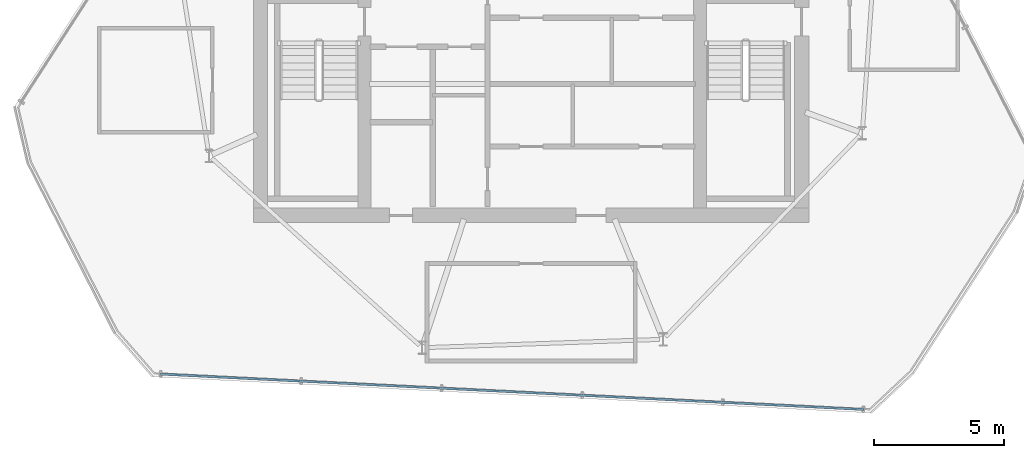
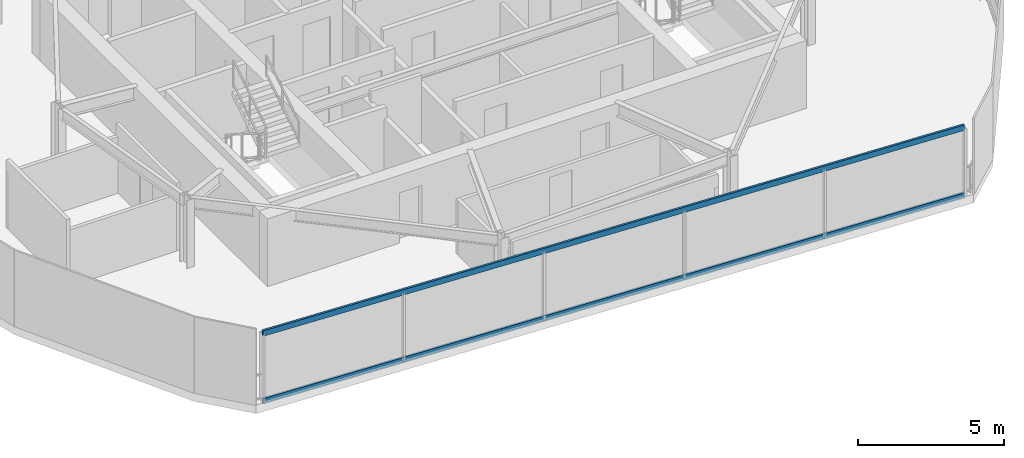
# One storey, part 3 of 16: 2 members, 1 element without a shape of its own.
"""IFC4 building model written with IfcOpenShell, lengths in metres."""

import ifcopenshell
import ifcopenshell.guid

model = None  # the IFC model being written
_history = None  # IfcOwnerHistory: only IFC2X3 demands one
_inside = {}  # id of a spatial element -> (the spatial element, [elements in it])
_under = {}  # id of a project, library or spatial element -> (it, [spatial elements below it])
_declared = {}  # id of a project -> (the project, [libraries it declares])
_typed = {}  # id of a type object -> (the type object, [elements of that type])
_made_of = {}  # id of a material, layer set ... -> (it, [elements and type objects made of it])


def new_model(schema):
    """Start an empty IFC model of exactly this schema.

    Asked for "IFC4X3", IfcOpenShell would pick the latest addendum, in which some entities
    have other attributes; the version numbers below select the first issue.
    IFC2X3 requires an IfcOwnerHistory on every rooted entity: one is made here for all.
    """
    global model, _history
    if schema == "IFC4X3":
        model = ifcopenshell.file(schema_version=(4, 3, 0, 0))
    else:
        model = ifcopenshell.file(schema=schema)
    _inside.clear()
    _under.clear()
    _declared.clear()
    _typed.clear()
    _made_of.clear()
    _history = None
    if model.schema == "IFC2X3":
        org = make("IfcOrganization", Name="unknown")
        user = make(
            "IfcPersonAndOrganization",
            ThePerson=make("IfcPerson", FamilyName="unknown"),
            TheOrganization=org,
        )
        app = make(
            "IfcApplication",
            ApplicationDeveloper=org,
            Version="unknown",
            ApplicationFullName="unknown",
            ApplicationIdentifier="unknown",
        )
        _history = make(
            "IfcOwnerHistory",
            OwningUser=user,
            OwningApplication=app,
            ChangeAction="ADDED",
            CreationDate=0,
        )
    return model


def make(cls, **values):
    """One entity of the class cls with the attributes given. An attribute that is None is left unset."""
    return model.create_entity(
        cls, **{name: value for name, value in values.items() if value is not None}
    )


def rooted(cls, **values):
    """An entity with a GlobalId (a new one), such as an element, a storey or a relation."""
    return make(cls, GlobalId=ifcopenshell.guid.new(), OwnerHistory=_history, **values)


def si_unit(unit_type, name, prefix=None):
    """IfcSIUnit, for example si_unit("LENGTHUNIT", "METRE", prefix="MILLI")."""
    return make("IfcSIUnit", UnitType=unit_type, Prefix=prefix, Name=name)


def assignment(units):
    """IfcUnitAssignment: the units of a project."""
    return None if units is None else make("IfcUnitAssignment", Units=units)


def point(xyz):
    """IfcCartesianPoint."""
    return None if xyz is None else make("IfcCartesianPoint", Coordinates=xyz)


def direction(xyz):
    """IfcDirection."""
    return None if xyz is None else make("IfcDirection", DirectionRatios=xyz)


def frame(location, z_axis=None, x_axis=None):
    """IfcAxis2Placement3D, a coordinate frame: its origin and axes. An axis left out is left unset."""
    return make(
        "IfcAxis2Placement3D",
        Location=point(location),
        Axis=direction(z_axis),
        RefDirection=direction(x_axis),
    )


def frame_2d(location, x_axis=None):
    """IfcAxis2Placement2D, a coordinate frame in the plane: its origin and x axis."""
    return make(
        "IfcAxis2Placement2D", Location=point(location), RefDirection=direction(x_axis)
    )


def origin():
    """The frame at (0, 0, 0) with its axes left unset."""
    return frame((0.0, 0.0, 0.0))


def origin_2d():
    """The frame at (0, 0) in the plane with its x axis left unset."""
    return frame_2d((0.0, 0.0))


def place(relative_to, where):
    """IfcLocalPlacement: puts the frame where relative to a parent placement (None: the world)."""
    return make(
        "IfcLocalPlacement", PlacementRelTo=relative_to, RelativePlacement=where
    )


def context(
    kind, dimensions, precision=None, world=None, true_north=None, identifier=None
):
    """IfcGeometricRepresentationContext, for example the 3D "Model" context."""
    return make(
        "IfcGeometricRepresentationContext",
        ContextIdentifier=identifier,
        ContextType=kind,
        CoordinateSpaceDimension=dimensions,
        Precision=precision,
        WorldCoordinateSystem=world,
        TrueNorth=true_north,
    )


def subcontext(parent, identifier, kind, view, scale=None):
    """IfcGeometricRepresentationSubContext, for example "Body" below "Model"."""
    return make(
        "IfcGeometricRepresentationSubContext",
        ContextIdentifier=identifier,
        ContextType=kind,
        ParentContext=parent,
        TargetScale=scale,
        TargetView=view,
    )


def project(units=None, contexts=None):
    """IfcProject with its units and contexts."""
    return rooted(
        "IfcProject",
        Name="project",
        RepresentationContexts=contexts,
        UnitsInContext=assignment(units),
    )


def spatial(cls, under=None, at=None, **own):
    """A site, building, storey or space (cls), placed at a placement, below another one or the project."""
    s = rooted(cls, ObjectPlacement=at, **own)
    if under is not None:
        _under.setdefault(under.id(), (under, []))[1].append(s)
    return s


def profile(cls, at=None, kind="AREA", **sizes):
    """A parametric profile (cls). Its sizes go by their IFC names, for example OverallWidth=200.0."""
    return make(cls, ProfileType=kind, Position=at, **sizes)


def hollow_rectangle(**sizes):
    """IfcRectangleHollowProfileDef."""
    return profile("IfcRectangleHollowProfileDef", **sizes)


def extrude(swept, where, along, depth):
    """IfcExtrudedAreaSolid: the profile swept, set in the frame where, extruded along a direction by depth."""
    return make(
        "IfcExtrudedAreaSolid",
        SweptArea=swept,
        Position=where,
        ExtrudedDirection=direction(along),
        Depth=depth,
    )


def shape(context_of_items, identifier, shape_type, items):
    """IfcShapeRepresentation: the items that make up one representation, for example the "Body"."""
    return make(
        "IfcShapeRepresentation",
        ContextOfItems=context_of_items,
        RepresentationIdentifier=identifier,
        RepresentationType=shape_type,
        Items=items,
    )


def material(Name=None, Category=None):
    """IfcMaterial."""
    return make("IfcMaterial", Name=Name, Category=Category)


def layer(
    of_material, thickness, ventilated=None, Name=None, Category=None, Priority=None
):
    """IfcMaterialLayer: one layer of a wall or slab, of a material (None: an air gap)."""
    return make(
        "IfcMaterialLayer",
        Material=of_material,
        LayerThickness=thickness,
        IsVentilated=ventilated,
        Name=Name,
        Category=Category,
        Priority=Priority,
    )


def layer_set(layers, Name=None):
    """IfcMaterialLayerSet."""
    return make("IfcMaterialLayerSet", MaterialLayers=layers, LayerSetName=Name)


def material_profile(
    of_material, cross_section, Name=None, Category=None, Priority=None
):
    """IfcMaterialProfile: a cross section and its material."""
    return make(
        "IfcMaterialProfile",
        Name=Name,
        Material=of_material,
        Profile=cross_section,
        Priority=Priority,
        Category=Category,
    )


def profile_set(profiles, Name=None, composite=None):
    """IfcMaterialProfileSet."""
    return make(
        "IfcMaterialProfileSet",
        Name=Name,
        MaterialProfiles=profiles,
        CompositeProfile=composite,
    )


def made_of(thing, what):
    """Note that an element or type object is made of a material, layer set ...; save() writes the relation."""
    if what is not None:
        _made_of.setdefault(what.id(), (what, []))[1].append(thing)
    return thing


def type_object(cls, material=None, **own):
    """A type object (cls), such as IfcWallType, which elements share."""
    return made_of(rooted(cls, **own), material)


def element(
    cls,
    number,
    at=None,
    inside=None,
    cuts=None,
    type_object=None,
    material=None,
    context=None,
    identifier="Body",
    shape_type=None,
    held_by="IfcProductDefinitionShape",
    body=None,
    shapes=None,
    **own,
):
    """One element of the class cls, such as IfcWall. Its Tag is "e" and its number.

    at: its placement. inside: the storey or other place that contains it. cuts: it is an
    opening in that element (IfcRelVoidsElement). A single representation is given by context,
    identifier, shape_type and body (its items); several are given by shapes. held_by: the class
    of the entity that holds the representations. save() writes the other relations.
    """
    e = rooted(cls, Tag="e%d" % number, ObjectPlacement=at, **own)
    if body is not None:
        shapes = [shape(context, identifier, shape_type, body)]
    if shapes is not None:
        e.Representation = make(held_by, Representations=shapes)
    if inside is not None:
        _inside.setdefault(inside.id(), (inside, []))[1].append(e)
    if cuts is not None:
        rooted(
            "IfcRelVoidsElement", RelatingBuildingElement=cuts, RelatedOpeningElement=e
        )
    if type_object is not None:
        _typed.setdefault(type_object.id(), (type_object, []))[1].append(e)
    return made_of(e, material)


def aggregate(whole, parts):
    """IfcRelAggregates: a whole, such as a stair, and the parts it consists of."""
    return rooted("IfcRelAggregates", RelatingObject=whole, RelatedObjects=parts)


def save(model, path):
    """Write the relations noted so far, then the file.

    IfcRelAggregates (storeys below a building ...), IfcRelContainedInSpatialStructure (elements
    in a storey), IfcRelDefinesByType, IfcRelAssociatesMaterial and IfcRelDeclares: one each for
    every whole, place, type object, material and project.
    """
    for whole, parts in _under.values():
        aggregate(whole, parts)
    for where, things in _inside.values():
        rooted(
            "IfcRelContainedInSpatialStructure",
            RelatedElements=things,
            RelatingStructure=where,
        )
    for kind, things in _typed.values():
        rooted("IfcRelDefinesByType", RelatedObjects=things, RelatingType=kind)
    for what, things in _made_of.values():
        rooted("IfcRelAssociatesMaterial", RelatedObjects=things, RelatingMaterial=what)
    for by, libraries in _declared.values():
        rooted("IfcRelDeclares", RelatingContext=by, RelatedDefinitions=libraries)
    model.write(path)


model = new_model("IFC4")

# Units and contexts
model_context = context("Model", 3, precision=1e-05, world=origin(), true_north=direction((0.0, 1.0)))
body_context = subcontext(model_context, "Body", "Model", "MODEL_VIEW")
ifc_project = project(units=[si_unit("LENGTHUNIT", "METRE"), si_unit("AREAUNIT", "SQUARE_METRE"), si_unit("VOLUMEUNIT", "CUBIC_METRE"), si_unit("PLANEANGLEUNIT", "RADIAN"), si_unit("MASSUNIT", "GRAM", prefix="KILO")], contexts=[model_context])

# Site, building, storey
site_placement = place(None, origin())
site = spatial("IfcSite", under=ifc_project, at=site_placement, CompositionType="ELEMENT")
building_placement = place(site_placement, origin())
building = spatial("IfcBuilding", under=site, at=building_placement, Name="Qarnah Convention Tower", CompositionType="ELEMENT")
storey_placement = place(building_placement, frame((0.0, 0.0, 283.5)))
storey = spatial("IfcBuildingStorey", under=building, at=storey_placement, Name="L76", CompositionType="ELEMENT", Elevation=283.5)

# Curtain wall, members
ifc_material_1 = material(Name="Tempered Low-E dark glass", Category="glass")
ifc_layer = layer(ifc_material_1, 0.177978515625)
ifc_layer_set = layer_set([ifc_layer], Name="Tempered Low-E dark glass")
curtain_wall_type = type_object("IfcCurtainWallType", Name="CWS-06", PredefinedType="NOTDEFINED", material=ifc_layer_set)
curtain_wall_placement = place(storey_placement, origin())
curtain_wall = element("IfcCurtainWall", 1, at=curtain_wall_placement, inside=storey, type_object=curtain_wall_type, Name="L76 unitised curtain wall CW-L76-F2", PredefinedType="NOTDEFINED")
ifc_material_2 = material(Name="Black anodised aluminium", Category="aluminium")
ifc_material_profile = material_profile(ifc_material_2, hollow_rectangle(XDim=0.0849609375, YDim=0.22998046875, WallThickness=0.006103515625, at=origin_2d()), Name="TRN-85X230")
ifc_profile_set = profile_set([ifc_material_profile], Name="Black anodised aluminium")
member_type = type_object("IfcMemberType", Name="TRN-T6", PredefinedType="USERDEFINED", material=ifc_profile_set)
member_1_placement = place(storey_placement, frame((49.97412109375, 11.138916015625, 0.0), z_axis=(-0.998736850553, 0.050246426221, 0.0), x_axis=(-0.050246426221, -0.998736850553, 0.0)))
member_1 = element("IfcMember", 2, at=member_1_placement, type_object=member_type, Name="CW-L76-F2 transom 1", ObjectType="TRANSOM", PredefinedType="USERDEFINED", context=body_context, shape_type="SweptSolid", body=[
    extrude(hollow_rectangle(XDim=0.0849609375, YDim=0.22998046875, WallThickness=0.006103515625, at=origin_2d()), origin(), (0.0, 0.0, 1.0), 27.04931640625),
])
member_2_placement = place(storey_placement, frame((49.97412109375, 11.138916015625, 2.840087890625), z_axis=(-0.998736850553, 0.050246426221, 0.0), x_axis=(-0.050246426221, -0.998736850553, 0.0)))
member_2 = element("IfcMember", 3, at=member_2_placement, type_object=member_type, Name="CW-L76-F2 transom 2", ObjectType="TRANSOM", PredefinedType="USERDEFINED", context=body_context, shape_type="SweptSolid", body=[
    extrude(hollow_rectangle(XDim=0.0849609375, YDim=0.22998046875, WallThickness=0.006103515625, at=origin_2d()), origin(), (0.0, 0.0, 1.0), 27.04931640625),
])
aggregate(curtain_wall, [member_1, member_2])

save(model, "model.ifc")
